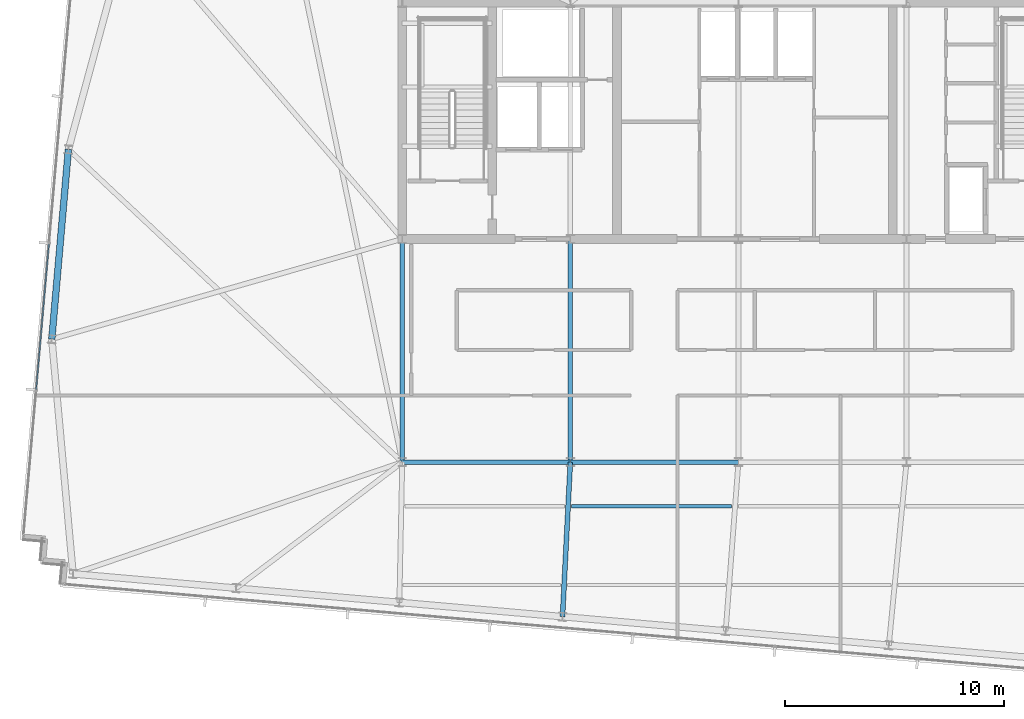
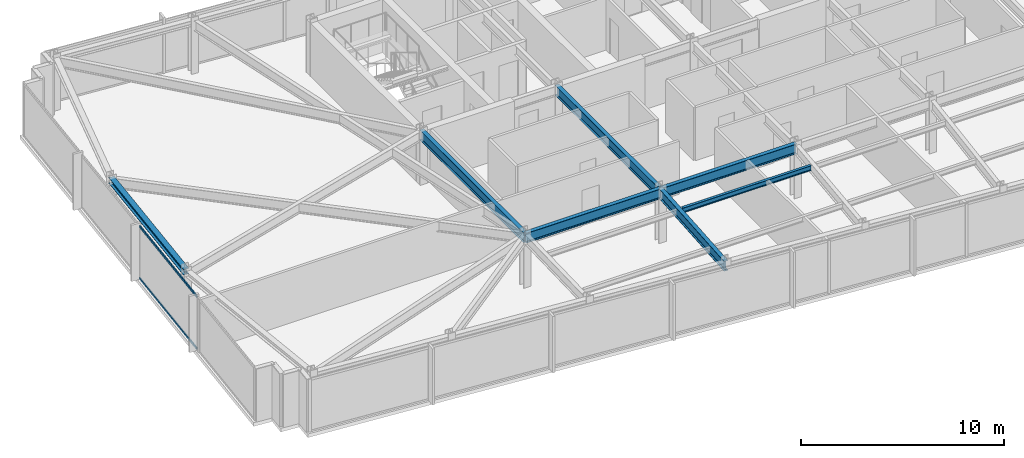
# One storey, part 8 of 32: 7 beams, 2 members, 1 element without a shape of its own.
"""IFC4 building model written with IfcOpenShell, lengths in metres."""

from ifc_helpers import new_model, si_unit, direction, frame, origin, origin_2d, place, context, subcontext, project, spatial, hollow_rectangle, i_section, extrude, material, material_profile, profile_set, type_object, element, aggregate, save


model = new_model("IFC4")

# Units and contexts
model_context = context("Model", 3, precision=1e-05, world=origin(), true_north=direction((0.0, 1.0)))
body_context = subcontext(model_context, "Body", "Model", "MODEL_VIEW")
ifc_project = project(units=[si_unit("LENGTHUNIT", "METRE"), si_unit("AREAUNIT", "SQUARE_METRE"), si_unit("VOLUMEUNIT", "CUBIC_METRE"), si_unit("PLANEANGLEUNIT", "RADIAN"), si_unit("MASSUNIT", "GRAM", prefix="KILO")], contexts=[model_context])

# Site, building, storey
site_placement = place(None, origin())
site = spatial("IfcSite", under=ifc_project, at=site_placement, CompositionType="ELEMENT")
building_placement = place(site_placement, origin())
building = spatial("IfcBuilding", under=site, at=building_placement, Name="Yelkora Congress Tower", CompositionType="ELEMENT")
storey_placement = place(building_placement, frame((0.0, 0.0, 269.300048828125)))
storey = spatial("IfcBuildingStorey", under=building, at=storey_placement, Name="L75", CompositionType="ELEMENT", Elevation=269.300048828125)

# Beams
ifc_material_1 = material(Name="Steel S355J2", Category="steel")
ifc_material_profile_1 = material_profile(ifc_material_1, i_section(OverallWidth=0.219970703125, OverallDepth=0.60009765625, WebThickness=0.011962890625, FlangeThickness=0.01904296875, FilletRadius=0.02392578125, at=origin_2d()), Name="IPE 600")
ifc_profile_set_1 = profile_set([ifc_material_profile_1], Name="Steel S355J2")
beam_type_1 = type_object("IfcBeamType", Name="BM-GIRD-IPE600", PredefinedType="BEAM", material=ifc_profile_set_1)
for number, where, z_axis, x_axis, name in (
    (1, (23.0400390625, 25.199951171875, 2.8798828125), (1.0, 0.0, 0.0), (0.0, 1.0, 0.0), "L75 Spine Grid D Girder 1"),
    (2, (30.719970703125, 25.199951171875, 2.8798828125), (1.0, 0.0, 0.0), (0.0, 1.0, 0.0), "L75 Spine Grid D Girder 2"),
):
    element("IfcBeam", number, at=place(storey_placement, frame(where, z_axis=z_axis, x_axis=x_axis)), inside=storey, type_object=beam_type_1, Name=name, PredefinedType="BEAM", context=body_context, shape_type="SweptSolid", body=[
        extrude(i_section(OverallWidth=0.219970703125, OverallDepth=0.60009765625, WebThickness=0.011962890625, FlangeThickness=0.01904296875, FilletRadius=0.02392578125, at=origin_2d()), origin(), (0.0, 0.0, 1.0), 7.679931640625),
    ])
for number, where, z_axis, x_axis, name in (
    (3, (23.0400390625, 25.199951171875, 2.8798828125), (0.0, 1.0, 0.0), (-1.0, 0.0, 0.0), "L75 Core Tie Girder MC-D1"),
    (4, (30.719970703125, 25.199951171875, 2.8798828125), (0.0, 1.0, 0.0), (-1.0, 0.0, 0.0), "L75 Core Tie Girder MC-D2"),
):
    element("IfcBeam", number, at=place(storey_placement, frame(where, z_axis=z_axis, x_axis=x_axis)), inside=storey, type_object=beam_type_1, Name=name, PredefinedType="BEAM", context=body_context, shape_type="SweptSolid", body=[
        extrude(i_section(OverallWidth=0.219970703125, OverallDepth=0.60009765625, WebThickness=0.011962890625, FlangeThickness=0.01904296875, FilletRadius=0.02392578125, at=origin_2d()), origin(), (0.0, 0.0, 1.0), 10.199951171875),
    ])
beam_1_placement = place(storey_placement, frame((30.362548828125, 18.14111328125, 2.8798828125), z_axis=(0.050569876836, 0.998720525251, 0.0), x_axis=(-0.998720525251, 0.050569876836, 0.0)))
element("IfcBeam", 5, at=beam_1_placement, inside=storey, type_object=beam_type_1, Name="L75 Primary Frame Girder S04", PredefinedType="BEAM", context=body_context, shape_type="SweptSolid", body=[
    extrude(i_section(OverallWidth=0.219970703125, OverallDepth=0.60009765625, WebThickness=0.011962890625, FlangeThickness=0.01904296875, FilletRadius=0.02392578125, at=origin_2d()), origin(), (0.0, 0.0, 1.0), 7.06787109375),
])
ifc_material_profile_2 = material_profile(ifc_material_1, i_section(OverallWidth=0.14990234375, OverallDepth=0.300048828125, WebThickness=0.007080078125, FlangeThickness=0.0107421875, FilletRadius=0.014892578125, at=origin_2d()), Name="IPE 300")
ifc_profile_set_2 = profile_set([ifc_material_profile_2], Name="Steel S355J2")
beam_type_2 = type_object("IfcBeamType", Name="BM-JOIST-IPE300", PredefinedType="JOIST", material=ifc_profile_set_2)
beam_2_placement = place(storey_placement, frame((30.778076171875, 23.1845703125, 3.030029296875), z_axis=(1.0, 0.0, 0.0), x_axis=(0.0, 1.0, 0.0)))
element("IfcBeam", 6, at=beam_2_placement, inside=storey, type_object=beam_type_2, Name="L75 Composite Floor Joist 6", PredefinedType="JOIST", context=body_context, shape_type="SweptSolid", body=[
    extrude(i_section(OverallWidth=0.14990234375, OverallDepth=0.300048828125, WebThickness=0.007080078125, FlangeThickness=0.0107421875, FilletRadius=0.014892578125, at=origin_2d()), origin(), (0.0, 0.0, 1.0), 7.3095703125),
])
ifc_material_profile_3 = material_profile(ifc_material_1, i_section(OverallWidth=0.300048828125, OverallDepth=0.340087890625, WebThickness=0.011962890625, FlangeThickness=0.021484375, FilletRadius=0.027099609375, at=origin_2d()), Name="HEB 340")
ifc_profile_set_3 = profile_set([ifc_material_profile_3], Name="Steel S355J2")
beam_type_3 = type_object("IfcBeamType", Name="BM-SPAN-HEB340", PredefinedType="SPANDREL", material=ifc_profile_set_3)
beam_3_placement = place(storey_placement, frame((7.787353515625, 39.489990234375, 3.010009765625), z_axis=(-0.08715998813, -0.99619432666, 0.0), x_axis=(0.99619432666, -0.08715998813, 0.0)))
element("IfcBeam", 7, at=beam_3_placement, inside=storey, type_object=beam_type_3, Name="L75 Perimeter Beam 14", PredefinedType="SPANDREL", context=body_context, shape_type="SweptSolid", body=[
    extrude(i_section(OverallWidth=0.300048828125, OverallDepth=0.340087890625, WebThickness=0.011962890625, FlangeThickness=0.021484375, FilletRadius=0.027099609375, at=origin_2d()), origin(), (0.0, 0.0, 1.0), 8.7001953125),
])

# Curtain wall, members
ifc_material_2 = material(Name="Anodised aluminium and insulated glass", Category="aluminium")
curtain_wall_type = type_object("IfcCurtainWallType", Name="CW-SYS-B5", PredefinedType="NOTDEFINED", material=ifc_material_2)
curtain_wall_placement = place(storey_placement, origin())
curtain_wall = element("IfcCurtainWall", 8, at=curtain_wall_placement, inside=storey, type_object=curtain_wall_type, Name="L75 Unitised Curtain Wall 5", PredefinedType="NOTDEFINED")
ifc_material_3 = material(Name="Anodised aluminium 6063-T6", Category="aluminium")
ifc_material_profile_4 = material_profile(ifc_material_3, hollow_rectangle(XDim=0.06005859375, YDim=0.1298828125, WallThickness=0.00390625, at=origin_2d()), Name="ALU 60x130x4")
ifc_profile_set_4 = profile_set([ifc_material_profile_4], Name="Anodised aluminium 6063-T6")
member_type = type_object("IfcMemberType", Name="MEM-TR-B5", PredefinedType="USERDEFINED", material=ifc_profile_set_4)
member_1_placement = place(storey_placement, frame((6.31640625, 28.529052734375, 0.030029296875), z_axis=(0.087182854761, 0.996192325726, 0.0), x_axis=(-0.996192325726, 0.087182854761, 0.0)))
member_1 = element("IfcMember", 9, at=member_1_placement, type_object=member_type, Name="CW-B5 transom 2.1", ObjectType="TRANSOM", PredefinedType="USERDEFINED", context=body_context, shape_type="SweptSolid", body=[
    extrude(hollow_rectangle(XDim=0.06005859375, YDim=0.1298828125, WallThickness=0.00390625, at=origin_2d()), origin(), (0.0, 0.0, 1.0), 6.664794921875),
])
member_2_placement = place(storey_placement, frame((6.31640625, 28.529052734375, 3.14990234375), z_axis=(0.087182854761, 0.996192325726, 0.0), x_axis=(-0.996192325726, 0.087182854761, 0.0)))
member_2 = element("IfcMember", 10, at=member_2_placement, type_object=member_type, Name="CW-B5 transom 2.2", ObjectType="TRANSOM", PredefinedType="USERDEFINED", context=body_context, shape_type="SweptSolid", body=[
    extrude(hollow_rectangle(XDim=0.06005859375, YDim=0.1298828125, WallThickness=0.00390625, at=origin_2d()), origin(), (0.0, 0.0, 1.0), 6.664794921875),
])
aggregate(curtain_wall, [member_1, member_2])

save(model, "model.ifc")
